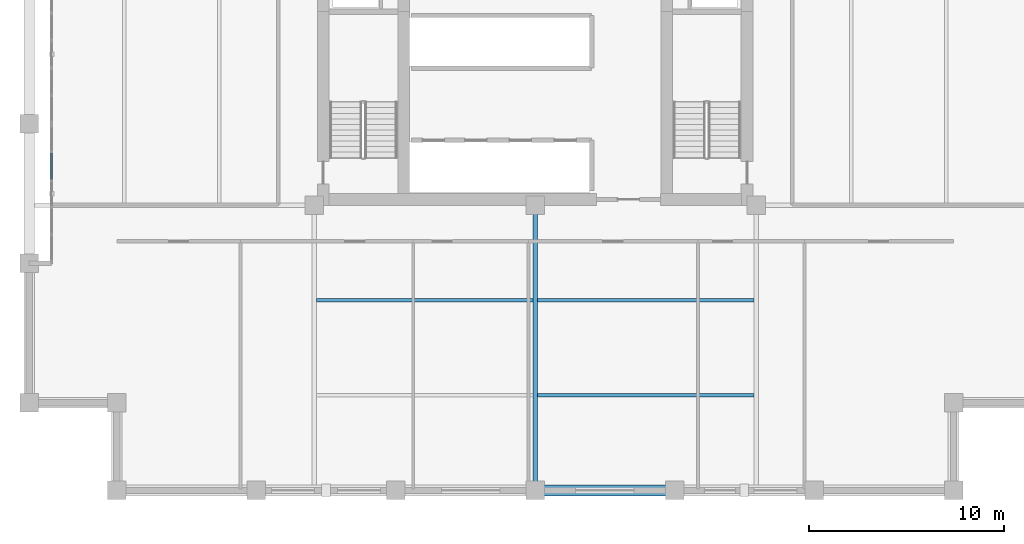
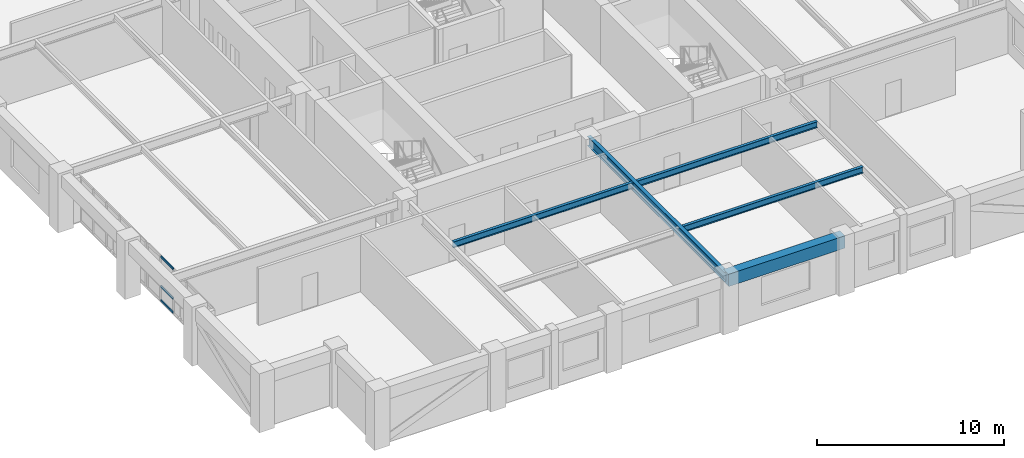
# One storey, part 3 of 12: 5 beams, 3 members, 1 element without a shape of its own.
"""IFC4 building model written with IfcOpenShell, lengths in metres."""

from ifc_helpers import new_model, si_unit, direction, frame, origin, origin_2d, place, context, subcontext, project, spatial, rectangle, i_section, extrude, material, layer, layer_set, material_profile, profile_set, type_object, element, aggregate, save


model = new_model("IFC4")

# Units and contexts
model_context = context("Model", 3, precision=1e-05, world=origin(), true_north=direction((0.0, 1.0)))
body_context = subcontext(model_context, "Body", "Model", "MODEL_VIEW")
ifc_project = project(units=[si_unit("LENGTHUNIT", "METRE"), si_unit("AREAUNIT", "SQUARE_METRE"), si_unit("VOLUMEUNIT", "CUBIC_METRE"), si_unit("PLANEANGLEUNIT", "RADIAN"), si_unit("MASSUNIT", "GRAM", prefix="KILO")], contexts=[model_context])

# Site, building, storey
site_placement = place(None, origin())
site = spatial("IfcSite", under=ifc_project, at=site_placement, CompositionType="ELEMENT")
building_placement = place(site_placement, origin())
building = spatial("IfcBuilding", under=site, at=building_placement, Name="Nhamokura Convention Tower", CompositionType="ELEMENT")
storey_placement = place(building_placement, frame((0.0, 0.0, 164.5)))
storey = spatial("IfcBuildingStorey", under=building, at=storey_placement, Name="L40", CompositionType="ELEMENT", Elevation=164.5)

# Curtain wall, members
ifc_material_1 = material(Name="Anodised bronze aluminium AA6063-T6", Category="aluminium")
ifc_layer = layer(ifc_material_1, 0.159912109375)
ifc_layer_set = layer_set([ifc_layer], Name="CWSystem_ScaleSlot_Zone2")
curtain_wall_type = type_object("IfcCurtainWallType", Name="CWSystem_ScaleSlot_Zone2", PredefinedType="NOTDEFINED", material=ifc_layer_set)
curtain_wall_placement = place(storey_placement, origin())
curtain_wall = element("IfcCurtainWall", 1, at=curtain_wall_placement, inside=storey, type_object=curtain_wall_type, Name="L40 Curtain Wall ENV-L40-SLOT-W1", PredefinedType="NOTDEFINED")
ifc_material_2 = material(Name="Anodised bronze aluminium AA6063-T6", Category="aluminium")
ifc_material_profile_1 = material_profile(ifc_material_2, rectangle(XDim=0.06494140625, YDim=0.139892578125, at=origin_2d()))
ifc_profile_set_1 = profile_set([ifc_material_profile_1], Name="Anodised bronze aluminium AA6063-T6")
member_type = type_object("IfcMemberType", Name="CWTransom_3", PredefinedType="USERDEFINED", material=ifc_profile_set_1)
member_1_placement = place(storey_placement, frame((7.14990234375, 21.987060546875, 0.032470703125), z_axis=(0.0, 1.0, 0.0), x_axis=(-1.0, 0.0, 0.0)))
member_1 = element("IfcMember", 2, at=member_1_placement, type_object=member_type, Name="CW-04 transom 4.1", ObjectType="TRANSOM", PredefinedType="USERDEFINED", context=body_context, shape_type="SweptSolid", body=[
    extrude(rectangle(XDim=0.06494140625, YDim=0.139892578125, at=origin_2d()), origin(), (0.0, 0.0, 1.0), 1.344482421875),
])
member_2_placement = place(storey_placement, frame((7.14990234375, 21.987060546875, 0.949951171875), z_axis=(0.0, 1.0, 0.0), x_axis=(-1.0, 0.0, 0.0)))
member_2 = element("IfcMember", 3, at=member_2_placement, type_object=member_type, Name="CW-04 transom 4.2", ObjectType="TRANSOM", PredefinedType="USERDEFINED", context=body_context, shape_type="SweptSolid", body=[
    extrude(rectangle(XDim=0.06494140625, YDim=0.139892578125, at=origin_2d()), origin(), (0.0, 0.0, 1.0), 1.344482421875),
])
member_3_placement = place(storey_placement, frame((7.14990234375, 21.987060546875, 2.8525390625), z_axis=(0.0, 1.0, 0.0), x_axis=(-1.0, 0.0, 0.0)))
member_3 = element("IfcMember", 4, at=member_3_placement, type_object=member_type, Name="CW-04 transom 4.3", ObjectType="TRANSOM", PredefinedType="USERDEFINED", context=body_context, shape_type="SweptSolid", body=[
    extrude(rectangle(XDim=0.06494140625, YDim=0.139892578125, at=origin_2d()), origin(), (0.0, 0.0, 1.0), 1.344482421875),
])
aggregate(curtain_wall, [member_1, member_2, member_3])

# Beams
ifc_material_3 = material(Name="Steel ASTM A992 Gr 50", Category="steel")
ifc_material_profile_2 = material_profile(ifc_material_3, i_section(OverallWidth=0.177001953125, OverallDepth=0.403076171875, WebThickness=0.007568359375, FlangeThickness=0.010986328125, at=origin_2d()))
ifc_profile_set_2 = profile_set([ifc_material_profile_2], Name="Steel ASTM A992 Gr 50")
beam_type_1 = type_object("IfcBeamType", Name="FloorJoist_W410X53", PredefinedType="JOIST", material=ifc_profile_set_2)
for number, where, z_axis, x_axis, name in (
    (5, (32.113037109375, 10.88330078125, 3.4833984375), (1.0, 0.0, 0.0), (0.0, 1.0, 0.0), "L40 Composite Floor Joist S1B"),
    (6, (20.762939453125, 15.7666015625, 3.4833984375), (1.0, 0.0, 0.0), (0.0, 1.0, 0.0), "L40 Composite Floor Joist S2A"),
    (7, (32.113037109375, 15.7666015625, 3.4833984375), (1.0, 0.0, 0.0), (0.0, 1.0, 0.0), "L40 Composite Floor Joist S2B"),
):
    element("IfcBeam", number, at=place(storey_placement, frame(where, z_axis=z_axis, x_axis=x_axis)), inside=storey, type_object=beam_type_1, Name=name, PredefinedType="JOIST", context=body_context, shape_type="SweptSolid", body=[
        extrude(i_section(OverallWidth=0.177001953125, OverallDepth=0.403076171875, WebThickness=0.007568359375, FlangeThickness=0.010986328125, at=origin_2d()), origin(), (0.0, 0.0, 1.0), 11.1240234375),
    ])
ifc_material_4 = material(Name="Steel ASTM A992 Gr 50", Category="steel")
ifc_material_profile_3 = material_profile(ifc_material_4, i_section(OverallWidth=0.22998046875, OverallDepth=0.616943359375, WebThickness=0.01318359375, FlangeThickness=0.022216796875, at=origin_2d()))
ifc_profile_set_3 = profile_set([ifc_material_profile_3], Name="Steel ASTM A992 Gr 50")
beam_type_2 = type_object("IfcBeamType", Name="PrimaryGirder_W610X140", PredefinedType="BEAM", material=ifc_profile_set_3)
beam_1_placement = place(storey_placement, frame((32.0, 6.0, 3.37646484375), z_axis=(0.0, 1.0, 0.0), x_axis=(-1.0, 0.0, 0.0)))
element("IfcBeam", 8, at=beam_1_placement, inside=storey, type_object=beam_type_2, Name="L40 Primary Floor Girder PG-S2", PredefinedType="BEAM", context=body_context, shape_type="SweptSolid", body=[
    extrude(i_section(OverallWidth=0.22998046875, OverallDepth=0.616943359375, WebThickness=0.01318359375, FlangeThickness=0.022216796875, at=origin_2d()), origin(), (0.0, 0.0, 1.0), 14.64990234375),
])
ifc_material_5 = material(Name="Concrete C50/60", Category="concrete")
ifc_material_profile_4 = material_profile(ifc_material_5, rectangle(XDim=0.550048828125, YDim=0.800048828125, at=origin_2d()))
ifc_profile_set_4 = profile_set([ifc_material_profile_4], Name="Concrete C50/60")
beam_type_3 = type_object("IfcBeamType", Name="TubeSpandrel_800", PredefinedType="SPANDREL", material=ifc_profile_set_4)
beam_2_placement = place(storey_placement, frame((32.0, 6.0, 3.284912109375), z_axis=(1.0, 0.0, 0.0), x_axis=(0.0, 1.0, 0.0)))
element("IfcBeam", 9, at=beam_2_placement, inside=storey, type_object=beam_type_3, Name="L40 Perimeter Spandrel SOUTH 4", PredefinedType="SPANDREL", context=body_context, shape_type="SweptSolid", body=[
    extrude(rectangle(XDim=0.550048828125, YDim=0.800048828125, at=origin_2d()), origin(), (0.0, 0.0, 1.0), 7.166748046875),
])

save(model, "model.ifc")
